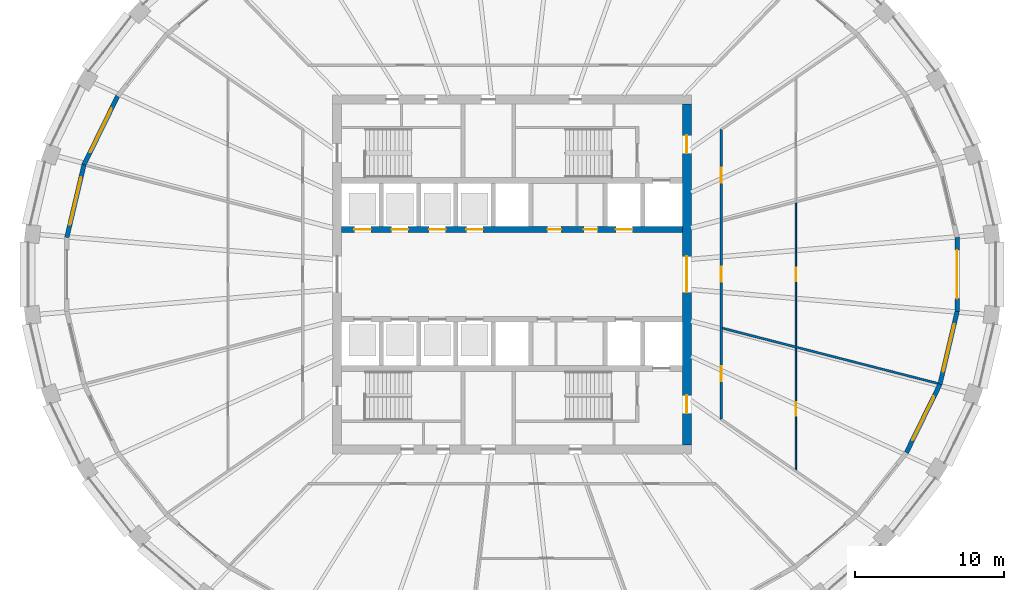
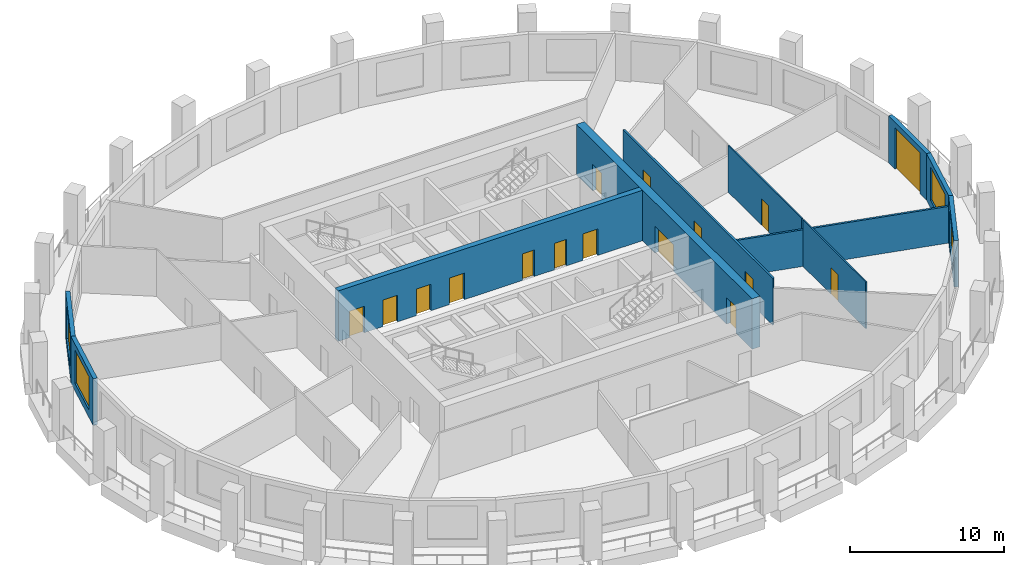
# One storey, part 5 of 10: 16 doors, 11 walls, 4 windows, 20 openings.
"""IFC4 building model written with IfcOpenShell, lengths in metres."""

from ifc_helpers import new_model, si_unit, direction, frame, frame_2d, origin, place, context, subcontext, project, spatial, polyline, rectangle, outline, extrude, material, layer, layer_set, type_object, element, fill, save


model = new_model("IFC4")

# Units and contexts
model_context = context("Model", 3, precision=1e-05, world=origin(), true_north=direction((0.0, 1.0)))
body_context = subcontext(model_context, "Body", "Model", "MODEL_VIEW")
ifc_project = project(units=[si_unit("LENGTHUNIT", "METRE"), si_unit("AREAUNIT", "SQUARE_METRE"), si_unit("VOLUMEUNIT", "CUBIC_METRE"), si_unit("PLANEANGLEUNIT", "RADIAN"), si_unit("MASSUNIT", "GRAM", prefix="KILO")], contexts=[model_context])

# Site, building, storey
site_placement = place(None, origin())
site = spatial("IfcSite", under=ifc_project, at=site_placement, CompositionType="ELEMENT")
building_placement = place(site_placement, origin())
building = spatial("IfcBuilding", under=site, at=building_placement, Name="Halqa Exchange Tower", CompositionType="ELEMENT")
storey_placement = place(building_placement, frame((0.0, 0.0, 198.89990234375)))
storey = spatial("IfcBuildingStorey", under=building, at=storey_placement, Name="L45", CompositionType="ELEMENT", Elevation=198.89990234375)

# Wall, openings, doors
ifc_material_1 = material(Name="Fire-rated gypsum board")
ifc_layer_1 = layer(ifc_material_1, 0.14990234375)
ifc_layer_set_1 = layer_set([ifc_layer_1], Name="Fire-rated gypsum board")
wall_type_1 = type_object("IfcWallType", Name="Fire partition EI 60 150", PredefinedType="PARTITIONING", material=ifc_layer_set_1)
wall_1_placement = place(storey_placement, frame((14.0, -9.729248046875, 0.0), z_axis=(0.0, 0.0, 1.0), x_axis=(0.0, 1.0, 0.0)))
wall_1 = element("IfcWall", 1, at=wall_1_placement, inside=storey, type_object=wall_type_1, Name="L45-PWL-020", PredefinedType="PARTITIONING", context=body_context, shape_type="SweptSolid", body=[
    extrude(outline(polyline([(0.07861328125, -0.074951171875), (2.008544921875, -0.074951171875), (3.938720703125, -0.074951171875), (5.868896484375, -0.074951171875), (7.799072265625, -0.074951171875), (9.729248046875, -0.074951171875), (11.659423828125, -0.074951171875), (13.589599609375, -0.074951171875), (15.519775390625, -0.074951171875), (17.44970703125, -0.074951171875), (19.3798828125, -0.074951171875), (19.45849609375, 0.074951171875), (19.45849609375, 0.074951171875), (17.5126953125, 0.074951171875), (15.56689453125, 0.074951171875), (13.620849609375, 0.074951171875), (11.675048828125, 0.074951171875), (9.729248046875, 0.074951171875), (7.783447265625, 0.074951171875), (5.837646484375, 0.074951171875), (3.8916015625, 0.074951171875), (1.94580078125, 0.074951171875), (0.0, 0.074951171875), (0.0, 0.074951171875), (0.07861328125, -0.074951171875)])), origin(), (0.0, 0.0, 1.0), 3.7001953125),
])
opening_1_placement = place(wall_1_placement, frame((2.59423828125, 0.0, 0.0)))
opening_1 = element("IfcOpeningElement", 2, at=opening_1_placement, cuts=wall_1, Name="Opening 13-09", PredefinedType="OPENING", context=body_context, shape_type="SweptSolid", body=[
    extrude(rectangle(XDim=1.0, YDim=2.10009765625, at=frame_2d((0.5, 1.050048828125))), frame((0.0, 0.0869140625, 0.0), z_axis=(0.0, -1.0, 0.0), x_axis=(1.0, 0.0, 0.0)), (0.0, 0.0, 1.0), 0.173828125),
])
opening_2_placement = place(wall_1_placement, frame((9.229248046875, 0.0, 0.0)))
opening_2 = element("IfcOpeningElement", 3, at=opening_2_placement, cuts=wall_1, Name="Opening 13-10", PredefinedType="OPENING", context=body_context, shape_type="SweptSolid", body=[
    extrude(rectangle(XDim=1.0, YDim=2.10009765625, at=frame_2d((0.5, 1.050048828125))), frame((0.0, 0.0869140625, 0.0), z_axis=(0.0, -1.0, 0.0), x_axis=(1.0, 0.0, 0.0)), (0.0, 0.0, 1.0), 0.173828125),
])
opening_3_placement = place(wall_1_placement, frame((15.8642578125, 0.0, 0.0)))
opening_3 = element("IfcOpeningElement", 4, at=opening_3_placement, cuts=wall_1, Name="Opening 13-11", PredefinedType="OPENING", context=body_context, shape_type="SweptSolid", body=[
    extrude(rectangle(XDim=1.0, YDim=2.10009765625, at=frame_2d((0.5, 1.050048828125))), frame((0.0, 0.0869140625, 0.0), z_axis=(0.0, -1.0, 0.0), x_axis=(1.0, 0.0, 0.0)), (0.0, 0.0, 1.0), 0.173828125),
])
ifc_material_2 = material(Name="Steel fire door leaf", Category="steel")
door_type_1 = type_object("IfcDoorType", Name="Fire door FD30S 1000 x 2100", OperationType="SINGLE_SWING_LEFT", PredefinedType="DOOR", material=ifc_material_2)
door_1_placement = place(opening_1_placement, frame((1.0, 0.0, 0.0), z_axis=(0.0, 0.0, 1.0), x_axis=(-1.0, 0.0, 0.0)))
door_1 = element("IfcDoor", 5, at=door_1_placement, inside=storey, type_object=door_type_1, Name="L45-IDR-009", OperationType="SINGLE_SWING_LEFT", OverallHeight=2.10009765625, OverallWidth=1.0, PredefinedType="DOOR", context=body_context, shape_type="SweptSolid", body=[
    extrude(rectangle(XDim=1.0, YDim=2.10009765625, at=frame_2d((0.5, 1.050048828125))), frame((0.0, 0.02490234375, 0.0), z_axis=(0.0, -1.0, 0.0), x_axis=(1.0, 0.0, 0.0)), (0.0, 0.0, 1.0), 0.050048828125),
])
fill(opening_1, door_1)
door_2_placement = place(opening_2_placement, frame((1.0, 0.0, 0.0), z_axis=(0.0, 0.0, 1.0), x_axis=(-1.0, 0.0, 0.0)))
door_2 = element("IfcDoor", 6, at=door_2_placement, inside=storey, type_object=door_type_1, Name="L45-IDR-010", OperationType="SINGLE_SWING_RIGHT", OverallHeight=2.10009765625, OverallWidth=1.0, PredefinedType="DOOR", context=body_context, shape_type="SweptSolid", body=[
    extrude(rectangle(XDim=1.0, YDim=2.10009765625, at=frame_2d((0.5, 1.050048828125))), frame((0.0, 0.02490234375, 0.0), z_axis=(0.0, -1.0, 0.0), x_axis=(1.0, 0.0, 0.0)), (0.0, 0.0, 1.0), 0.050048828125),
])
fill(opening_2, door_2)
door_3_placement = place(opening_3_placement, frame((1.0, 0.0, 0.0), z_axis=(0.0, 0.0, 1.0), x_axis=(-1.0, 0.0, 0.0)))
door_3 = element("IfcDoor", 7, at=door_3_placement, inside=storey, type_object=door_type_1, Name="L45-IDR-011", OperationType="SINGLE_SWING_RIGHT", OverallHeight=2.10009765625, OverallWidth=1.0, PredefinedType="DOOR", context=body_context, shape_type="SweptSolid", body=[
    extrude(rectangle(XDim=1.0, YDim=2.10009765625, at=frame_2d((0.5, 1.050048828125))), frame((0.0, 0.02490234375, 0.0), z_axis=(0.0, -1.0, 0.0), x_axis=(1.0, 0.0, 0.0)), (0.0, 0.0, 1.0), 0.050048828125),
])
fill(opening_3, door_3)

# Wall
wall_2_placement = place(storey_placement, frame((14.056640625, -3.594482421875, 0.0), z_axis=(0.0, 0.0, 1.0), x_axis=(0.96870063855, -0.248231893342, 0.0)))
element("IfcWall", 8, at=wall_2_placement, inside=storey, type_object=wall_type_1, Name="L45-PWL-022", PredefinedType="PARTITIONING", context=body_context, shape_type="SweptSolid", body=[
    extrude(outline(polyline([(0.0380859375, -0.074951171875), (1.748291015625, -0.074951171875), (3.458251953125, -0.074951171875), (5.168212890625, -0.074951171875), (5.173583984375, -0.073486328125), (5.173828125, -0.074951171875), (7.1171875, -0.074951171875), (9.060546875, -0.074951171875), (11.003662109375, -0.074951171875), (12.947021484375, -0.074951171875), (14.89013671875, -0.074951171875), (14.904296875, -0.007568359375), (14.904296875, 0.074951171875), (12.93115234375, 0.074951171875), (10.957763671875, 0.074951171875), (8.984619140625, 0.074951171875), (7.011474609375, 0.074951171875), (5.0380859375, 0.074951171875), (5.03271484375, 0.073486328125), (5.0322265625, 0.074951171875), (3.354736328125, 0.074951171875), (1.677490234375, 0.074951171875), (0.0, 0.074951171875), (0.0, 0.073974609375), (0.0380859375, -0.074951171875)])), origin(), (0.0, 0.0, 1.0), 2.900146484375),
])

# Wall, opening, door
ifc_material_3 = material(Name="Gypsum board")
ifc_layer_2 = layer(ifc_material_3, 0.10009765625)
ifc_layer_set_2 = layer_set([ifc_layer_2], Name="Gypsum board")
wall_type_2 = type_object("IfcWallType", Name="Partition 100 gypsum", PredefinedType="PARTITIONING", material=ifc_layer_set_2)
wall_3_placement = place(storey_placement, frame((19.0, -4.926025390625, 0.0), z_axis=(0.0, 0.0, 1.0), x_axis=(0.0, -1.0, 0.0)))
wall_3 = element("IfcWall", 9, at=wall_3_placement, inside=storey, type_object=wall_type_2, Name="L45-PWL-027", PredefinedType="PARTITIONING", context=body_context, shape_type="SweptSolid", body=[
    extrude(outline(polyline([(0.0, -0.050048828125), (1.6201171875, -0.050048828125), (3.240234375, -0.050048828125), (4.8603515625, -0.050048828125), (6.480712890625, -0.050048828125), (8.100830078125, -0.050048828125), (8.16943359375, 0.049072265625), (8.16943359375, 0.050048828125), (6.54052734375, 0.050048828125), (4.911865234375, 0.050048828125), (3.282958984375, 0.050048828125), (1.654296875, 0.050048828125), (0.025390625, 0.050048828125), (0.0, -0.04931640625), (0.0, -0.050048828125)])), origin(), (0.0, 0.0, 1.0), 3.7001953125),
])
opening_4_placement = place(wall_3_placement, frame((3.62890625, 0.0, 0.0)))
opening_4 = element("IfcOpeningElement", 10, at=opening_4_placement, cuts=wall_3, Name="Opening 13-16", PredefinedType="OPENING", context=body_context, shape_type="SweptSolid", body=[
    extrude(rectangle(XDim=0.89990234375, YDim=2.10009765625, at=frame_2d((0.449951171875, 1.050048828125))), frame((0.0, 0.06201171875, 0.0), z_axis=(0.0, -1.0, 0.0), x_axis=(1.0, 0.0, 0.0)), (0.0, 0.0, 1.0), 0.1240234375),
])
ifc_material_4 = material(Name="Timber door leaf", Category="wood")
door_type_2 = type_object("IfcDoorType", Name="Door 900 x 2100", OperationType="SINGLE_SWING_LEFT", PredefinedType="DOOR", material=ifc_material_4)
door_4_placement = place(opening_4_placement, frame((0.89990234375, 0.0, 0.0), z_axis=(0.0, 0.0, 1.0), x_axis=(-1.0, 0.0, 0.0)))
door_4 = element("IfcDoor", 11, at=door_4_placement, inside=storey, type_object=door_type_2, Name="L45-IDR-016", OperationType="SINGLE_SWING_LEFT", OverallHeight=2.10009765625, OverallWidth=0.89990234375, PredefinedType="DOOR", context=body_context, shape_type="SweptSolid", body=[
    extrude(rectangle(XDim=0.89990234375, YDim=2.10009765625, at=frame_2d((0.449951171875, 1.050048828125))), frame((0.0, 0.02490234375, 0.0), z_axis=(0.0, -1.0, 0.0), x_axis=(1.0, 0.0, 0.0)), (0.0, 0.0, 1.0), 0.050048828125),
])
fill(opening_4, door_4)

wall_4_placement = place(storey_placement, frame((19.0, 4.79638671875, 0.0), z_axis=(0.0, 0.0, 1.0), x_axis=(0.0, -1.0, 0.0)))
wall_4 = element("IfcWall", 12, at=wall_4_placement, inside=storey, type_object=wall_type_2, Name="L45-PWL-028", PredefinedType="PARTITIONING", context=body_context, shape_type="SweptSolid", body=[
    extrude(outline(polyline([(0.025390625, -0.050048828125), (1.933837890625, -0.050048828125), (3.84228515625, -0.050048828125), (5.75048828125, -0.050048828125), (7.658935546875, -0.050048828125), (9.5673828125, -0.050048828125), (9.5927734375, 0.049072265625), (9.5927734375, 0.050048828125), (7.67431640625, 0.050048828125), (5.755615234375, 0.050048828125), (3.837158203125, 0.050048828125), (1.91845703125, 0.050048828125), (0.0, 0.050048828125), (0.0, 0.049072265625), (0.025390625, -0.050048828125)])), origin(), (0.0, 0.0, 1.0), 3.7001953125),
])
opening_5_placement = place(wall_4_placement, frame((4.346435546875, 0.0, 0.0)))
opening_5 = element("IfcOpeningElement", 13, at=opening_5_placement, cuts=wall_4, Name="Opening 13-17", PredefinedType="OPENING", context=body_context, shape_type="SweptSolid", body=[
    extrude(rectangle(XDim=0.89990234375, YDim=2.10009765625, at=frame_2d((0.449951171875, 1.050048828125))), frame((0.0, 0.06201171875, 0.0), z_axis=(0.0, -1.0, 0.0), x_axis=(1.0, 0.0, 0.0)), (0.0, 0.0, 1.0), 0.1240234375),
])
door_5_placement = place(opening_5_placement, frame((0.89990234375, 0.0, 0.0), z_axis=(0.0, 0.0, 1.0), x_axis=(-1.0, 0.0, 0.0)))
door_5 = element("IfcDoor", 14, at=door_5_placement, inside=storey, type_object=door_type_2, Name="L45-IDR-017", OperationType="SINGLE_SWING_LEFT", OverallHeight=2.10009765625, OverallWidth=0.89990234375, PredefinedType="DOOR", context=body_context, shape_type="SweptSolid", body=[
    extrude(rectangle(XDim=0.89990234375, YDim=2.10009765625, at=frame_2d((0.449951171875, 1.050048828125))), frame((0.0, 0.02490234375, 0.0), z_axis=(0.0, -1.0, 0.0), x_axis=(1.0, 0.0, 0.0)), (0.0, 0.0, 1.0), 0.050048828125),
])
fill(opening_5, door_5)

# Wall, openings, doors
ifc_material_5 = material(Name="Concrete C70/85", Category="concrete")
ifc_layer_3 = layer(ifc_material_5, 0.39990234375)
ifc_layer_set_3 = layer_set([ifc_layer_3], Name="Concrete C70/85")
wall_type_3 = type_object("IfcWallType", Name="RC core wall 400 C70/85", PredefinedType="SHEAR", material=ifc_layer_set_3)
wall_5_placement = place(storey_placement, frame((-11.39990234375, 3.0, 0.0), z_axis=(0.0, 0.0, 1.0), x_axis=(1.0, 0.0, 0.0)))
wall_5 = element("IfcWall", 15, at=wall_5_placement, inside=storey, type_object=wall_type_3, Name="Lift row front wall N", PredefinedType="SHEAR", context=body_context, shape_type="SweptSolid", body=[
    extrude(rectangle(XDim=22.7998046875, YDim=0.39990234375, at=frame_2d((11.39990234375, 0.0))), origin(), (0.0, 0.0, 1.0), 4.0),
])
opening_6_placement = place(wall_5_placement, frame((0.85009765625, 0.0, 0.0)))
opening_6 = element("IfcOpeningElement", 16, at=opening_6_placement, cuts=wall_5, Name="Opening LD-HR1-T13", PredefinedType="OPENING", context=body_context, shape_type="SweptSolid", body=[
    extrude(rectangle(XDim=1.10009765625, YDim=2.10009765625, at=frame_2d((0.550048828125, 1.050048828125))), frame((0.0, 0.2119140625, 0.0), z_axis=(0.0, -1.0, 0.0), x_axis=(1.0, 0.0, 0.0)), (0.0, 0.0, 1.0), 0.423828125),
])
opening_7_placement = place(wall_5_placement, frame((3.35009765625, 0.0, 0.0)))
opening_7 = element("IfcOpeningElement", 17, at=opening_7_placement, cuts=wall_5, Name="Opening LD-HR2-T13", PredefinedType="OPENING", context=body_context, shape_type="SweptSolid", body=[
    extrude(rectangle(XDim=1.10009765625, YDim=2.10009765625, at=frame_2d((0.550048828125, 1.050048828125))), frame((0.0, 0.2119140625, 0.0), z_axis=(0.0, -1.0, 0.0), x_axis=(1.0, 0.0, 0.0)), (0.0, 0.0, 1.0), 0.423828125),
])
opening_8_placement = place(wall_5_placement, frame((5.85009765625, 0.0, 0.0)))
opening_8 = element("IfcOpeningElement", 18, at=opening_8_placement, cuts=wall_5, Name="Opening LD-MR1-T13", PredefinedType="OPENING", context=body_context, shape_type="SweptSolid", body=[
    extrude(rectangle(XDim=1.10009765625, YDim=2.10009765625, at=frame_2d((0.550048828125, 1.050048828125))), frame((0.0, 0.2119140625, 0.0), z_axis=(0.0, -1.0, 0.0), x_axis=(1.0, 0.0, 0.0)), (0.0, 0.0, 1.0), 0.423828125),
])
opening_9_placement = place(wall_5_placement, frame((8.35009765625, 0.0, 0.0)))
opening_9 = element("IfcOpeningElement", 19, at=opening_9_placement, cuts=wall_5, Name="Opening LD-MR2-T13", PredefinedType="OPENING", context=body_context, shape_type="SweptSolid", body=[
    extrude(rectangle(XDim=1.10009765625, YDim=2.10009765625, at=frame_2d((0.550048828125, 1.050048828125))), frame((0.0, 0.2119140625, 0.0), z_axis=(0.0, -1.0, 0.0), x_axis=(1.0, 0.0, 0.0)), (0.0, 0.0, 1.0), 0.423828125),
])
opening_10_placement = place(wall_5_placement, frame((18.35009765625, 0.0, 0.0)))
opening_10 = element("IfcOpeningElement", 20, at=opening_10_placement, cuts=wall_5, Name="Opening LD-SV1-T13", PredefinedType="OPENING", context=body_context, shape_type="SweptSolid", body=[
    extrude(rectangle(XDim=1.10009765625, YDim=2.10009765625, at=frame_2d((0.550048828125, 1.050048828125))), frame((0.0, 0.2119140625, 0.0), z_axis=(0.0, -1.0, 0.0), x_axis=(1.0, 0.0, 0.0)), (0.0, 0.0, 1.0), 0.423828125),
])
opening_11_placement = place(wall_5_placement, frame((13.78759765625, 0.0, 0.0)))
opening_11 = element("IfcOpeningElement", 21, at=opening_11_placement, cuts=wall_5, Name="Opening T13-C29", PredefinedType="OPENING", context=body_context, shape_type="SweptSolid", body=[
    extrude(rectangle(XDim=0.89990234375, YDim=2.10009765625, at=frame_2d((0.449951171875, 1.050048828125))), frame((0.0, 0.2119140625, 0.0), z_axis=(0.0, -1.0, 0.0), x_axis=(1.0, 0.0, 0.0)), (0.0, 0.0, 1.0), 0.423828125),
])
opening_12_placement = place(wall_5_placement, frame((16.21240234375, 0.0, 0.0)))
opening_12 = element("IfcOpeningElement", 22, at=opening_12_placement, cuts=wall_5, Name="Opening T13-C30", PredefinedType="OPENING", context=body_context, shape_type="SweptSolid", body=[
    extrude(rectangle(XDim=0.89990234375, YDim=2.10009765625, at=frame_2d((0.449951171875, 1.050048828125))), frame((0.0, 0.2119140625, 0.0), z_axis=(0.0, -1.0, 0.0), x_axis=(1.0, 0.0, 0.0)), (0.0, 0.0, 1.0), 0.423828125),
])
ifc_material_6 = material(Name="Timber fire door leaf", Category="wood")
door_type_3 = type_object("IfcDoorType", Name="Core room door FD30 900 x 2100", OperationType="SINGLE_SWING_LEFT", PredefinedType="DOOR", material=ifc_material_6)
door_6_placement = place(opening_11_placement, origin())
door_6 = element("IfcDoor", 23, at=door_6_placement, inside=storey, type_object=door_type_3, Name="Core room door", OperationType="SINGLE_SWING_LEFT", OverallHeight=2.10009765625, OverallWidth=0.89990234375, PredefinedType="DOOR", context=body_context, shape_type="SweptSolid", body=[
    extrude(rectangle(XDim=0.89990234375, YDim=2.10009765625, at=frame_2d((0.449951171875, 1.050048828125))), frame((0.0, 0.02490234375, 0.0), z_axis=(0.0, -1.0, 0.0), x_axis=(1.0, 0.0, 0.0)), (0.0, 0.0, 1.0), 0.050048828125),
])
fill(opening_11, door_6)
door_7_placement = place(opening_12_placement, origin())
door_7 = element("IfcDoor", 24, at=door_7_placement, inside=storey, type_object=door_type_3, Name="Core room door", OperationType="SINGLE_SWING_RIGHT", OverallHeight=2.10009765625, OverallWidth=0.89990234375, PredefinedType="DOOR", context=body_context, shape_type="SweptSolid", body=[
    extrude(rectangle(XDim=0.89990234375, YDim=2.10009765625, at=frame_2d((0.449951171875, 1.050048828125))), frame((0.0, 0.02490234375, 0.0), z_axis=(0.0, -1.0, 0.0), x_axis=(1.0, 0.0, 0.0)), (0.0, 0.0, 1.0), 0.050048828125),
])
fill(opening_12, door_7)
ifc_material_7 = material(Name="Stainless steel", Category="steel")
door_type_4 = type_object("IfcDoorType", Name="Lift landing door 1100 x 2100", OperationType="SLIDING_TO_LEFT", PredefinedType="DOOR", material=ifc_material_7)
door_8_placement = place(opening_6_placement, origin())
door_8 = element("IfcDoor", 25, at=door_8_placement, inside=storey, type_object=door_type_4, Name="Lift landing door HR1", OperationType="SLIDING_TO_LEFT", OverallHeight=2.10009765625, OverallWidth=1.10009765625, PredefinedType="DOOR", context=body_context, shape_type="SweptSolid", body=[
    extrude(rectangle(XDim=1.10009765625, YDim=2.10009765625, at=frame_2d((0.550048828125, 1.050048828125))), frame((0.0, 0.02490234375, 0.0), z_axis=(0.0, -1.0, 0.0), x_axis=(1.0, 0.0, 0.0)), (0.0, 0.0, 1.0), 0.050048828125),
])
fill(opening_6, door_8)
door_9_placement = place(opening_7_placement, origin())
door_9 = element("IfcDoor", 26, at=door_9_placement, inside=storey, type_object=door_type_4, Name="Lift landing door HR2", OperationType="SLIDING_TO_LEFT", OverallHeight=2.10009765625, OverallWidth=1.10009765625, PredefinedType="DOOR", context=body_context, shape_type="SweptSolid", body=[
    extrude(rectangle(XDim=1.10009765625, YDim=2.10009765625, at=frame_2d((0.550048828125, 1.050048828125))), frame((0.0, 0.02490234375, 0.0), z_axis=(0.0, -1.0, 0.0), x_axis=(1.0, 0.0, 0.0)), (0.0, 0.0, 1.0), 0.050048828125),
])
fill(opening_7, door_9)
door_10_placement = place(opening_8_placement, origin())
door_10 = element("IfcDoor", 27, at=door_10_placement, inside=storey, type_object=door_type_4, Name="Lift landing door MR1", OperationType="SLIDING_TO_LEFT", OverallHeight=2.10009765625, OverallWidth=1.10009765625, PredefinedType="DOOR", context=body_context, shape_type="SweptSolid", body=[
    extrude(rectangle(XDim=1.10009765625, YDim=2.10009765625, at=frame_2d((0.550048828125, 1.050048828125))), frame((0.0, 0.02490234375, 0.0), z_axis=(0.0, -1.0, 0.0), x_axis=(1.0, 0.0, 0.0)), (0.0, 0.0, 1.0), 0.050048828125),
])
fill(opening_8, door_10)
door_11_placement = place(opening_9_placement, origin())
door_11 = element("IfcDoor", 28, at=door_11_placement, inside=storey, type_object=door_type_4, Name="Lift landing door MR2", OperationType="SLIDING_TO_LEFT", OverallHeight=2.10009765625, OverallWidth=1.10009765625, PredefinedType="DOOR", context=body_context, shape_type="SweptSolid", body=[
    extrude(rectangle(XDim=1.10009765625, YDim=2.10009765625, at=frame_2d((0.550048828125, 1.050048828125))), frame((0.0, 0.02490234375, 0.0), z_axis=(0.0, -1.0, 0.0), x_axis=(1.0, 0.0, 0.0)), (0.0, 0.0, 1.0), 0.050048828125),
])
fill(opening_9, door_11)
door_12_placement = place(opening_10_placement, origin())
door_12 = element("IfcDoor", 29, at=door_12_placement, inside=storey, type_object=door_type_4, Name="Lift landing door SV1", OperationType="SLIDING_TO_LEFT", OverallHeight=2.10009765625, OverallWidth=1.10009765625, PredefinedType="DOOR", context=body_context, shape_type="SweptSolid", body=[
    extrude(rectangle(XDim=1.10009765625, YDim=2.10009765625, at=frame_2d((0.550048828125, 1.050048828125))), frame((0.0, 0.02490234375, 0.0), z_axis=(0.0, -1.0, 0.0), x_axis=(1.0, 0.0, 0.0)), (0.0, 0.0, 1.0), 0.050048828125),
])
fill(opening_10, door_12)

ifc_layer_4 = layer(ifc_material_5, 0.60009765625)
ifc_layer_set_4 = layer_set([ifc_layer_4], Name="Concrete C70/85")
wall_type_4 = type_object("IfcWallType", Name="RC core wall 600 C70/85", PredefinedType="SHEAR", material=ifc_layer_set_4)
wall_6_placement = place(storey_placement, frame((11.699951171875, -11.39990234375, 0.0), z_axis=(0.0, 0.0, 1.0), x_axis=(0.0, 1.0, 0.0)))
wall_6 = element("IfcWall", 30, at=wall_6_placement, inside=storey, type_object=wall_type_4, Name="Core wall east", PredefinedType="SHEAR", context=body_context, shape_type="SweptSolid", body=[
    extrude(rectangle(XDim=22.7998046875, YDim=0.60009765625, at=frame_2d((11.39990234375, 0.0))), origin(), (0.0, 0.0, 1.0), 4.0),
])
opening_13_placement = place(wall_6_placement, frame((10.199951171875, 0.0, 0.0)))
opening_13 = element("IfcOpeningElement", 31, at=opening_13_placement, cuts=wall_6, Name="Opening T13-C14", PredefinedType="OPENING", context=body_context, shape_type="SweptSolid", body=[
    extrude(rectangle(XDim=2.39990234375, YDim=2.10009765625, at=frame_2d((1.199951171875, 1.050048828125))), frame((0.0, 0.31201171875, 0.0), z_axis=(0.0, -1.0, 0.0), x_axis=(1.0, 0.0, 0.0)), (0.0, 0.0, 1.0), 0.6240234375),
])
opening_14_placement = place(wall_6_placement, frame((19.5, 0.0, 0.0)))
opening_14 = element("IfcOpeningElement", 32, at=opening_14_placement, cuts=wall_6, Name="Opening T13-C19", PredefinedType="OPENING", context=body_context, shape_type="SweptSolid", body=[
    extrude(rectangle(XDim=1.199951171875, YDim=2.10009765625, at=frame_2d((0.60009765625, 1.050048828125))), frame((0.0, 0.31201171875, 0.0), z_axis=(0.0, -1.0, 0.0), x_axis=(1.0, 0.0, 0.0)), (0.0, 0.0, 1.0), 0.6240234375),
])
opening_15_placement = place(wall_6_placement, frame((2.10009765625, 0.0, 0.0)))
opening_15 = element("IfcOpeningElement", 33, at=opening_15_placement, cuts=wall_6, Name="Opening T13-C20", PredefinedType="OPENING", context=body_context, shape_type="SweptSolid", body=[
    extrude(rectangle(XDim=1.199951171875, YDim=2.10009765625, at=frame_2d((0.60009765625, 1.050048828125))), frame((0.0, 0.31201171875, 0.0), z_axis=(0.0, -1.0, 0.0), x_axis=(1.0, 0.0, 0.0)), (0.0, 0.0, 1.0), 0.6240234375),
])
door_type_5 = type_object("IfcDoorType", Name="Firefighting lobby door FD90 1200 x 2100", OperationType="SINGLE_SWING_RIGHT", PredefinedType="DOOR", material=ifc_material_2)
door_13_placement = place(opening_14_placement, origin())
door_13 = element("IfcDoor", 34, at=door_13_placement, inside=storey, type_object=door_type_5, Name="Firefighting lobby door", OperationType="SINGLE_SWING_RIGHT", OverallHeight=2.10009765625, OverallWidth=1.199951171875, PredefinedType="DOOR", context=body_context, shape_type="SweptSolid", body=[
    extrude(rectangle(XDim=1.199951171875, YDim=2.10009765625, at=frame_2d((0.60009765625, 1.050048828125))), frame((0.0, 0.02490234375, 0.0), z_axis=(0.0, -1.0, 0.0), x_axis=(1.0, 0.0, 0.0)), (0.0, 0.0, 1.0), 0.050048828125),
])
fill(opening_14, door_13)
door_14_placement = place(opening_15_placement, origin())
door_14 = element("IfcDoor", 35, at=door_14_placement, inside=storey, type_object=door_type_5, Name="Firefighting lobby door", OperationType="SINGLE_SWING_LEFT", OverallHeight=2.10009765625, OverallWidth=1.199951171875, PredefinedType="DOOR", context=body_context, shape_type="SweptSolid", body=[
    extrude(rectangle(XDim=1.199951171875, YDim=2.10009765625, at=frame_2d((0.60009765625, 1.050048828125))), frame((0.0, 0.02490234375, 0.0), z_axis=(0.0, -1.0, 0.0), x_axis=(1.0, 0.0, 0.0)), (0.0, 0.0, 1.0), 0.050048828125),
])
fill(opening_15, door_14)
door_type_6 = type_object("IfcDoorType", Name="Lobby double door FD60 2400 x 2100", OperationType="DOUBLE_DOOR_SINGLE_SWING", PredefinedType="DOOR", material=ifc_material_2)
door_15_placement = place(opening_13_placement, origin())
door_15 = element("IfcDoor", 36, at=door_15_placement, inside=storey, type_object=door_type_6, Name="Lift lobby double door", OperationType="DOUBLE_DOOR_SINGLE_SWING", OverallHeight=2.10009765625, OverallWidth=2.39990234375, PredefinedType="DOOR", context=body_context, shape_type="SweptSolid", body=[
    extrude(rectangle(XDim=2.39990234375, YDim=2.10009765625, at=frame_2d((1.199951171875, 1.050048828125))), frame((0.0, 0.02490234375, 0.0), z_axis=(0.0, -1.0, 0.0), x_axis=(1.0, 0.0, 0.0)), (0.0, 0.0, 1.0), 0.050048828125),
])
fill(opening_13, door_15)

# Wall, opening, window
ifc_material_8 = material(Name="Limestone cladding", Category="masonry")
ifc_layer_5 = layer(ifc_material_8, 0.0400390625)
ifc_material_9 = material(Name="Ventilated cavity")
ifc_layer_6 = layer(ifc_material_9, 0.030029296875, ventilated=True)
ifc_material_10 = material(Name="Mineral wool insulation")
ifc_layer_7 = layer(ifc_material_10, 0.10009765625)
ifc_material_11 = material(Name="Concrete C30/37", Category="concrete")
ifc_layer_8 = layer(ifc_material_11, 0.10009765625)
ifc_material_12 = material(Name="Internal plaster")
ifc_layer_9 = layer(ifc_material_12, 0.030029296875)
ifc_layer_set_5 = layer_set([ifc_layer_5, ifc_layer_6, ifc_layer_7, ifc_layer_8, ifc_layer_9], Name="Stone-faced insulated wall 300")
wall_type_5 = type_object("IfcWallType", Name="Stone-faced insulated wall 300", PredefinedType="STANDARD", material=ifc_layer_set_5)
wall_7_placement = place(storey_placement, frame((-26.39013671875, 11.92431640625, 0.0), z_axis=(0.0, 0.0, 1.0), x_axis=(-0.440694221881, -0.897657285829, 0.0)))
wall_7 = element("IfcWall", 37, at=wall_7_placement, inside=storey, type_object=wall_type_5, Name="Glass-line wall 14", PredefinedType="STANDARD", context=body_context, shape_type="SweptSolid", body=[
    extrude(outline(polyline([(-0.01611328125, -0.14990234375), (5.119140625, -0.14990234375), (5.08544921875, 0.14990234375), (0.01611328125, 0.14990234375), (-0.01611328125, -0.14990234375)])), origin(), (0.0, 0.0, 1.0), 3.7001953125),
])
opening_16_placement = place(wall_7_placement, frame((0.926025390625, 0.0, 0.60009765625)))
opening_16 = element("IfcOpeningElement", 38, at=opening_16_placement, cuts=wall_7, Name="Opening W-F3-14", PredefinedType="OPENING", context=body_context, shape_type="SweptSolid", body=[
    extrude(rectangle(XDim=3.25, YDim=2.64990234375, at=frame_2d((1.625, 1.324951171875))), frame((0.0, 0.162109375, 0.0), z_axis=(0.0, -1.0, 0.0), x_axis=(1.0, 0.0, 0.0)), (0.0, 0.0, 1.0), 0.323974609375),
])
ifc_material_13 = material(Name="Clear low-emissivity glass in aluminium frame", Category="aluminium")
window_type = type_object("IfcWindowType", Name="Fixed clear glazed window 3250 x 2650", PartitioningType="TRIPLE_PANEL_VERTICAL", PredefinedType="WINDOW", material=ifc_material_13)
window_1_placement = place(opening_16_placement, origin())
window_1 = element("IfcWindow", 39, at=window_1_placement, inside=storey, type_object=window_type, Name="Window 3", OverallHeight=2.64990234375, OverallWidth=3.25, PartitioningType="TRIPLE_PANEL_VERTICAL", PredefinedType="WINDOW", context=body_context, shape_type="SweptSolid", body=[
    extrude(rectangle(XDim=3.25, YDim=2.64990234375, at=frame_2d((1.625, 1.324951171875))), frame((0.0, 0.030029296875, 0.0), z_axis=(0.0, -1.0, 0.0), x_axis=(1.0, 0.0, 0.0)), (0.0, 0.0, 1.0), 0.06005859375),
])
fill(opening_16, window_1)

wall_8_placement = place(storey_placement, frame((-28.638671875, 7.34423828125, 0.0), z_axis=(0.0, 0.0, 1.0), x_axis=(-0.229455912692, -0.97331905567, 0.0)))
wall_8 = element("IfcWall", 40, at=wall_8_placement, inside=storey, type_object=wall_type_5, Name="Glass-line wall 15", PredefinedType="STANDARD", context=body_context, shape_type="SweptSolid", body=[
    extrude(outline(polyline([(-0.016845703125, -0.14990234375), (5.014892578125, -0.14990234375), (4.980224609375, 0.14990234375), (0.016845703125, 0.14990234375), (-0.016845703125, -0.14990234375)])), origin(), (0.0, 0.0, 1.0), 3.7001953125),
])
opening_17_placement = place(wall_8_placement, frame((0.873779296875, 0.0, 0.60009765625)))
opening_17 = element("IfcOpeningElement", 41, at=opening_17_placement, cuts=wall_8, Name="Opening W-F3-15", PredefinedType="OPENING", context=body_context, shape_type="SweptSolid", body=[
    extrude(rectangle(XDim=3.25, YDim=2.64990234375, at=frame_2d((1.625, 1.324951171875))), frame((0.0, 0.162109375, 0.0), z_axis=(0.0, -1.0, 0.0), x_axis=(1.0, 0.0, 0.0)), (0.0, 0.0, 1.0), 0.323974609375),
])
window_2_placement = place(opening_17_placement, origin())
window_2 = element("IfcWindow", 42, at=window_2_placement, inside=storey, type_object=window_type, Name="Window 3", OverallHeight=2.64990234375, OverallWidth=3.25, PartitioningType="TRIPLE_PANEL_VERTICAL", PredefinedType="WINDOW", context=body_context, shape_type="SweptSolid", body=[
    extrude(rectangle(XDim=3.25, YDim=2.64990234375, at=frame_2d((1.625, 1.324951171875))), frame((0.0, 0.030029296875, 0.0), z_axis=(0.0, -1.0, 0.0), x_axis=(1.0, 0.0, 0.0)), (0.0, 0.0, 1.0), 0.06005859375),
])
fill(opening_17, window_2)

wall_9_placement = place(storey_placement, frame((26.39013671875, -11.92431640625, 0.0), z_axis=(0.0, 0.0, 1.0), x_axis=(0.440694221881, 0.897657285829, 0.0)))
wall_9 = element("IfcWall", 43, at=wall_9_placement, inside=storey, type_object=wall_type_5, Name="Glass-line wall 30", PredefinedType="STANDARD", context=body_context, shape_type="SweptSolid", body=[
    extrude(outline(polyline([(-0.01611328125, -0.14990234375), (5.119140625, -0.14990234375), (5.08544921875, 0.14990234375), (0.01611328125, 0.14990234375), (-0.01611328125, -0.14990234375)])), origin(), (0.0, 0.0, 1.0), 3.7001953125),
])
opening_18_placement = place(wall_9_placement, frame((0.926025390625, 0.0, 0.60009765625)))
opening_18 = element("IfcOpeningElement", 44, at=opening_18_placement, cuts=wall_9, Name="Opening W-F3-30", PredefinedType="OPENING", context=body_context, shape_type="SweptSolid", body=[
    extrude(rectangle(XDim=3.25, YDim=2.64990234375, at=frame_2d((1.625, 1.324951171875))), frame((0.0, 0.162109375, 0.0), z_axis=(0.0, -1.0, 0.0), x_axis=(1.0, 0.0, 0.0)), (0.0, 0.0, 1.0), 0.323974609375),
])
window_3_placement = place(opening_18_placement, origin())
window_3 = element("IfcWindow", 45, at=window_3_placement, inside=storey, type_object=window_type, Name="Window 3", OverallHeight=2.64990234375, OverallWidth=3.25, PartitioningType="TRIPLE_PANEL_VERTICAL", PredefinedType="WINDOW", context=body_context, shape_type="SweptSolid", body=[
    extrude(rectangle(XDim=3.25, YDim=2.64990234375, at=frame_2d((1.625, 1.324951171875))), frame((0.0, 0.030029296875, 0.0), z_axis=(0.0, -1.0, 0.0), x_axis=(1.0, 0.0, 0.0)), (0.0, 0.0, 1.0), 0.06005859375),
])
fill(opening_18, window_3)

wall_10_placement = place(storey_placement, frame((28.638671875, -7.34423828125, 0.0), z_axis=(0.0, 0.0, 1.0), x_axis=(0.229455912692, 0.97331905567, 0.0)))
wall_10 = element("IfcWall", 46, at=wall_10_placement, inside=storey, type_object=wall_type_5, Name="Glass-line wall 31", PredefinedType="STANDARD", context=body_context, shape_type="SweptSolid", body=[
    extrude(outline(polyline([(-0.016845703125, -0.14990234375), (5.014892578125, -0.14990234375), (4.980224609375, 0.14990234375), (0.016845703125, 0.14990234375), (-0.016845703125, -0.14990234375)])), origin(), (0.0, 0.0, 1.0), 3.7001953125),
])
opening_19_placement = place(wall_10_placement, frame((0.873779296875, 0.0, 0.60009765625)))
opening_19 = element("IfcOpeningElement", 47, at=opening_19_placement, cuts=wall_10, Name="Opening W-F3-31", PredefinedType="OPENING", context=body_context, shape_type="SweptSolid", body=[
    extrude(rectangle(XDim=3.25, YDim=2.64990234375, at=frame_2d((1.625, 1.324951171875))), frame((0.0, 0.162109375, 0.0), z_axis=(0.0, -1.0, 0.0), x_axis=(1.0, 0.0, 0.0)), (0.0, 0.0, 1.0), 0.323974609375),
])
window_4_placement = place(opening_19_placement, origin())
window_4 = element("IfcWindow", 48, at=window_4_placement, inside=storey, type_object=window_type, Name="Window 3", OverallHeight=2.64990234375, OverallWidth=3.25, PartitioningType="TRIPLE_PANEL_VERTICAL", PredefinedType="WINDOW", context=body_context, shape_type="SweptSolid", body=[
    extrude(rectangle(XDim=3.25, YDim=2.64990234375, at=frame_2d((1.625, 1.324951171875))), frame((0.0, 0.030029296875, 0.0), z_axis=(0.0, -1.0, 0.0), x_axis=(1.0, 0.0, 0.0)), (0.0, 0.0, 1.0), 0.06005859375),
])
fill(opening_19, window_4)

# Wall, opening, door
wall_11_placement = place(storey_placement, frame((29.785400390625, -2.47998046875, 0.0), z_axis=(0.0, 0.0, 1.0), x_axis=(0.0, 1.0, 0.0)))
wall_11 = element("IfcWall", 49, at=wall_11_placement, inside=storey, type_object=wall_type_5, Name="Glass-line wall 32", PredefinedType="STANDARD", context=body_context, shape_type="SweptSolid", body=[
    extrude(outline(polyline([(-0.017333984375, -0.14990234375), (4.977294921875, -0.14990234375), (4.942626953125, 0.14990234375), (0.017333984375, 0.14990234375), (-0.017333984375, -0.14990234375)])), origin(), (0.0, 0.0, 1.0), 3.7001953125),
])
opening_20_placement = place(wall_11_placement, frame((0.85498046875, 0.0, 0.0)))
opening_20 = element("IfcOpeningElement", 50, at=opening_20_placement, cuts=wall_11, Name="Opening LG-F3-08", PredefinedType="OPENING", context=body_context, shape_type="SweptSolid", body=[
    extrude(rectangle(XDim=3.25, YDim=3.25, at=frame_2d((1.625, 1.625))), frame((0.0, 0.162109375, 0.0), z_axis=(0.0, -1.0, 0.0), x_axis=(1.0, 0.0, 0.0)), (0.0, 0.0, 1.0), 0.323974609375),
])
door_type_7 = type_object("IfcDoorType", Name="Glazed sliding loggia door 3250 x 3250", OperationType="DOUBLE_DOOR_SLIDING", PredefinedType="DOOR", material=ifc_material_13)
door_16_placement = place(opening_20_placement, origin())
door_16 = element("IfcDoor", 51, at=door_16_placement, inside=storey, type_object=door_type_7, Name="Loggia door 8", OperationType="DOUBLE_DOOR_SLIDING", OverallHeight=3.25, OverallWidth=3.25, PredefinedType="DOOR", context=body_context, shape_type="SweptSolid", body=[
    extrude(rectangle(XDim=3.25, YDim=3.25, at=frame_2d((1.625, 1.625))), frame((0.0, 0.02490234375, 0.0), z_axis=(0.0, -1.0, 0.0), x_axis=(1.0, 0.0, 0.0)), (0.0, 0.0, 1.0), 0.050048828125),
])
fill(opening_20, door_16)

save(model, "model.ifc")
